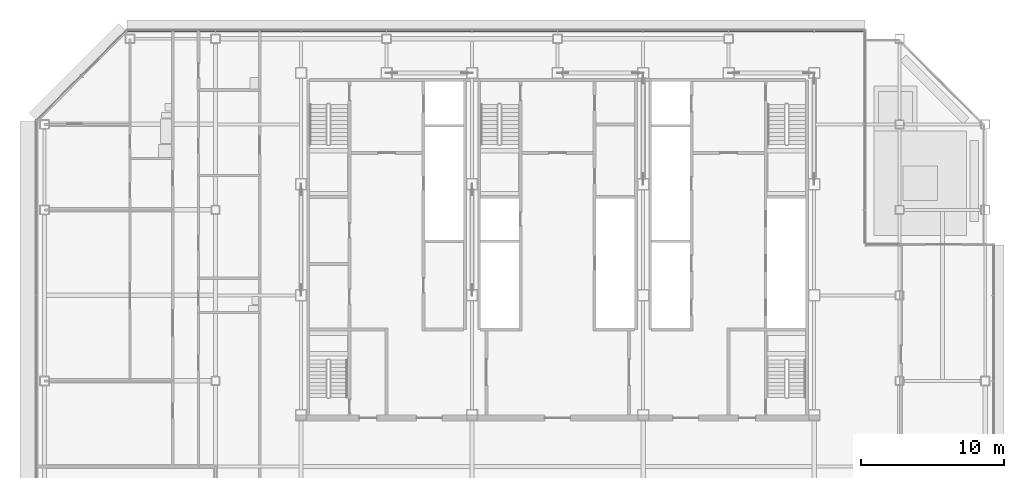
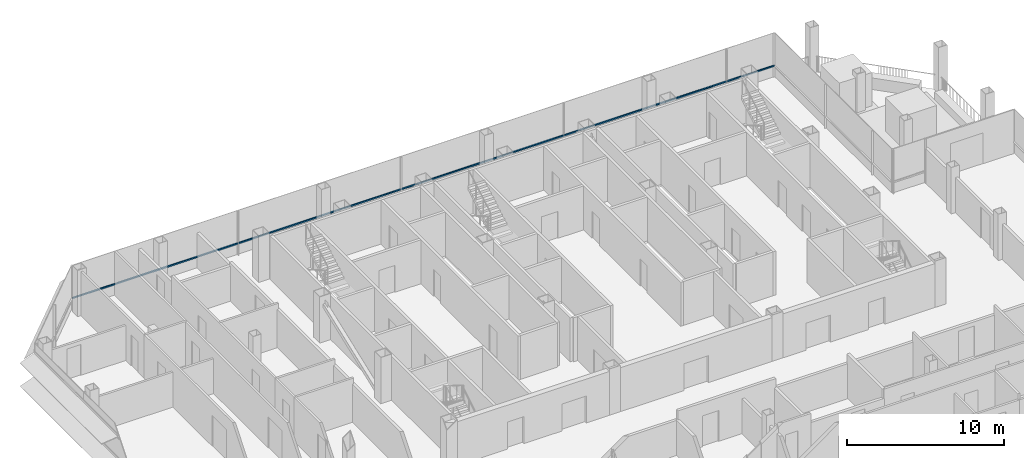
# One storey, part 15 of 29: 1 member, 1 element without a shape of its own.
"""IFC4 building model written with IfcOpenShell, lengths in metres."""

from ifc_helpers import new_model, si_unit, direction, frame, origin, origin_2d, place, context, subcontext, project, spatial, rectangle, extrude, material, material_profile, profile_set, type_object, element, aggregate, save


model = new_model("IFC4")

# Units and contexts
model_context = context("Model", 3, precision=1e-05, world=origin(), true_north=direction((0.0, 1.0)))
body_context = subcontext(model_context, "Body", "Model", "MODEL_VIEW")
ifc_project = project(units=[si_unit("LENGTHUNIT", "METRE"), si_unit("AREAUNIT", "SQUARE_METRE"), si_unit("VOLUMEUNIT", "CUBIC_METRE"), si_unit("PLANEANGLEUNIT", "RADIAN"), si_unit("MASSUNIT", "GRAM", prefix="KILO")], contexts=[model_context])

# Site, building, storey
site_placement = place(None, origin())
site = spatial("IfcSite", under=ifc_project, at=site_placement, CompositionType="ELEMENT")
building_placement = place(site_placement, origin())
building = spatial("IfcBuilding", under=site, at=building_placement, Name="Sorahane Residences", CompositionType="ELEMENT")
storey_placement = place(building_placement, frame((0.0, 0.0, 199.199951171875)))
storey = spatial("IfcBuildingStorey", under=building, at=storey_placement, Name="L46", CompositionType="ELEMENT", Elevation=199.199951171875)

# Curtain wall, member
ifc_material_1 = material(Name="Dark low-e glass and black anodised aluminium", Category="aluminium")
curtain_wall_type = type_object("IfcCurtainWallType", Name="Curtain wall CW-1 Typical unitised wall", PredefinedType="NOTDEFINED", material=ifc_material_1)
curtain_wall_placement = place(storey_placement, origin())
curtain_wall = element("IfcCurtainWall", 1, at=curtain_wall_placement, inside=storey, type_object=curtain_wall_type, Name="CW-1 curtain wall L46 N2", PredefinedType="NOTDEFINED")
ifc_material_2 = material(Name="Black anodised aluminium", Category="aluminium")
ifc_material_profile = material_profile(ifc_material_2, rectangle(XDim=0.10009765625, YDim=0.06005859375, at=origin_2d()), Name="Curtain wall transom CW-1 black anodised aluminium 60x100")
ifc_profile_set = profile_set([ifc_material_profile], Name="Black anodised aluminium")
member_type = type_object("IfcMemberType", Name="Curtain wall transom CW-1 black anodised aluminium 60x100", PredefinedType="USERDEFINED", material=ifc_profile_set)
member_placement = place(storey_placement, frame((45.550048828125, 48.530029296875, 0.900146484375), z_axis=(-1.0, 0.0, 0.0), x_axis=(0.0, -1.0, 0.0)))
member = element("IfcMember", 2, at=member_placement, type_object=member_type, Name="CW-1 transom L46 N2", ObjectType="TRANSOM", PredefinedType="USERDEFINED", context=body_context, shape_type="SweptSolid", body=[
    extrude(rectangle(XDim=0.10009765625, YDim=0.06005859375, at=origin_2d()), origin(), (0.0, 0.0, 1.0), 51.74853515625),
])
aggregate(curtain_wall, [member])

save(model, "model.ifc")
